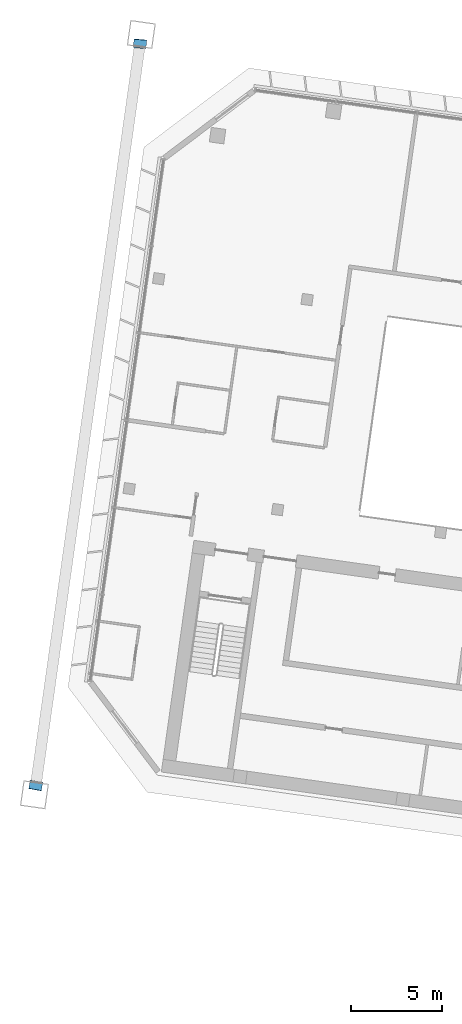
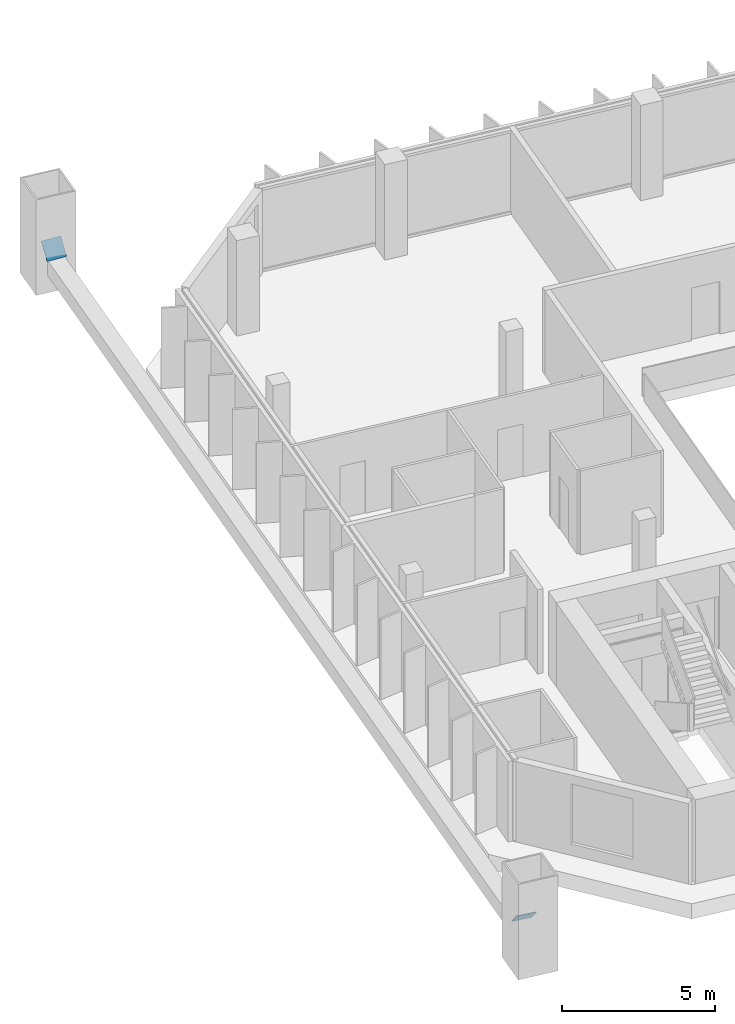
# One storey, part 26 of 31: 2 discrete accessories.
"""IFC4 building model written with IfcOpenShell, lengths in metres."""

from ifc_helpers import new_model, si_unit, direction, frame, origin, origin_2d, place, context, subcontext, project, spatial, rectangle, extrude, material, material_profile, profile_set, type_object, element, save


model = new_model("IFC4")

# Units and contexts
model_context = context("Model", 3, precision=1e-05, world=origin(), true_north=direction((0.0, 1.0)))
body_context = subcontext(model_context, "Body", "Model", "MODEL_VIEW")
ifc_project = project(units=[si_unit("LENGTHUNIT", "METRE"), si_unit("AREAUNIT", "SQUARE_METRE"), si_unit("VOLUMEUNIT", "CUBIC_METRE"), si_unit("PLANEANGLEUNIT", "RADIAN"), si_unit("MASSUNIT", "GRAM", prefix="KILO")], contexts=[model_context])

# Site, building, storey
site_placement = place(None, origin())
site = spatial("IfcSite", under=ifc_project, at=site_placement, CompositionType="ELEMENT")
building_placement = place(site_placement, origin())
building = spatial("IfcBuilding", under=site, at=building_placement, Name="Mirante Cascada Hotel Towers", CompositionType="ELEMENT")
storey_placement = place(building_placement, frame((0.0, 0.0, 157.4)))
storey = spatial("IfcBuildingStorey", under=building, at=storey_placement, Name="L36", CompositionType="ELEMENT", Elevation=157.4)

# Discrete accessories
ifc_material = material(Name="Steel ASTM A572 Gr 50", Category="steel")
ifc_material_profile = material_profile(ifc_material, rectangle(XDim=0.7, YDim=0.7, at=origin_2d()), Name="Connection plate 700x700x25 ASTM A572 Gr 50")
ifc_profile_set = profile_set([ifc_material_profile], Name="Steel ASTM A572 Gr 50")
discrete_accessory_type = type_object("IfcDiscreteAccessoryType", Name="Connection plate 700x700x25 ASTM A572 Gr 50", PredefinedType="BRACKET", material=ifc_profile_set)
discrete_accessory_1_placement = place(storey_placement, frame((-97.2199, -13.2472, 1.5469), z_axis=(0.135963, 0.731801, 0.6678184), x_axis=(-0.983175, 0.1826664, 0.0)))
element("IfcDiscreteAccessory", 1, at=discrete_accessory_1_placement, inside=storey, type_object=discrete_accessory_type, Name="Connection plate MB-OL36L", PredefinedType="BRACKET", context=body_context, shape_type="SweptSolid", body=[
    extrude(rectangle(XDim=0.7, YDim=0.7, at=origin_2d()), origin(), (0.0, 0.0, 1.0), 0.025),
])
discrete_accessory_2_placement = place(storey_placement, frame((-91.5158, 27.3399, 1.5469), z_axis=(-0.0678514, -0.7423745, 0.6665405), x_axis=(0.9958492, -0.0910185, 0.0)))
element("IfcDiscreteAccessory", 2, at=discrete_accessory_2_placement, inside=storey, type_object=discrete_accessory_type, Name="Connection plate MB-OL36R", PredefinedType="BRACKET", context=body_context, shape_type="SweptSolid", body=[
    extrude(rectangle(XDim=0.7, YDim=0.7, at=origin_2d()), origin(), (0.0, 0.0, 1.0), 0.0251),
])

save(model, "model.ifc")
